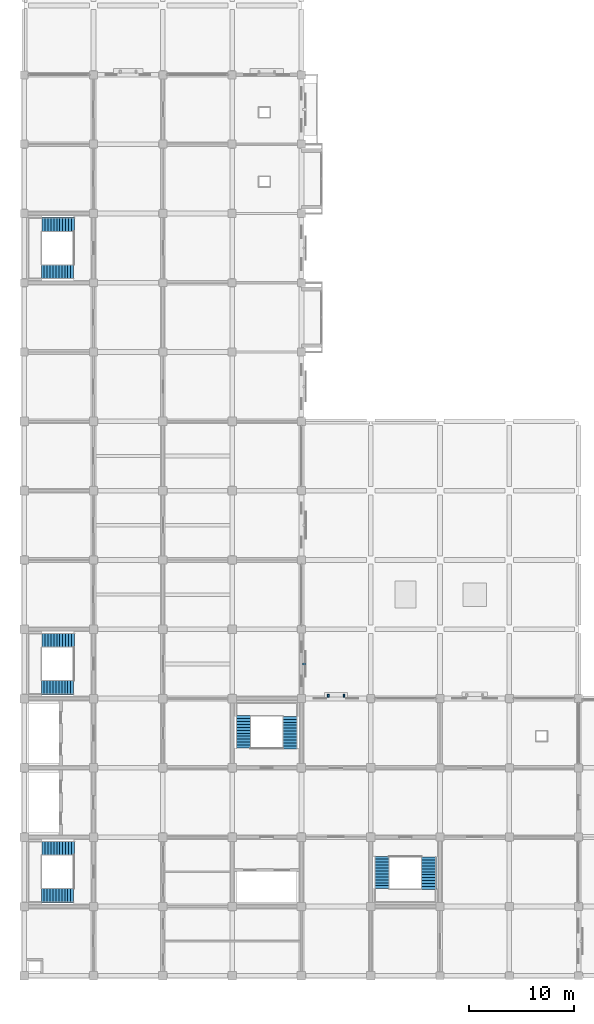
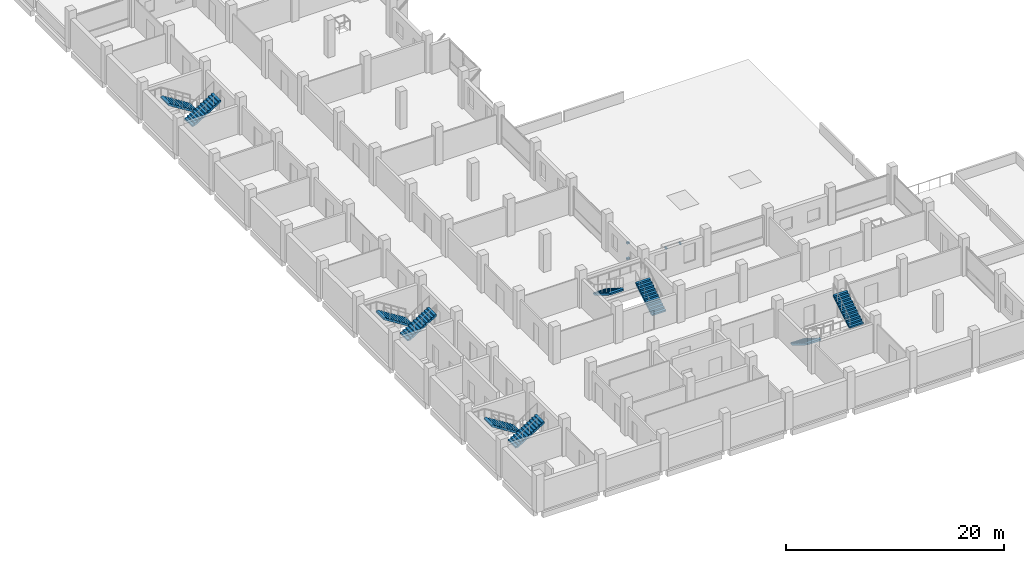
# One storey, part 19 of 23: 10 stair flights, 4 discrete accessories, 5 elements without a shape of their own.
"""IFC4 building model written with IfcOpenShell, lengths in metres."""

from ifc_helpers import new_model, si_unit, direction, frame, origin, origin_2d, place, context, subcontext, project, spatial, polyline, rectangle, outline, extrude, material, type_object, element, aggregate, save


model = new_model("IFC4")

# Units and contexts
model_context = context("Model", 3, precision=1e-05, world=origin(), true_north=direction((0.0, 1.0)))
body_context = subcontext(model_context, "Body", "Model", "MODEL_VIEW")
ifc_project = project(units=[si_unit("LENGTHUNIT", "METRE"), si_unit("AREAUNIT", "SQUARE_METRE"), si_unit("VOLUMEUNIT", "CUBIC_METRE"), si_unit("PLANEANGLEUNIT", "RADIAN"), si_unit("MASSUNIT", "GRAM", prefix="KILO")], contexts=[model_context])

# Site, building, storey
site_placement = place(None, origin())
site = spatial("IfcSite", under=ifc_project, at=site_placement, CompositionType="ELEMENT")
building_placement = place(site_placement, origin())
building = spatial("IfcBuilding", under=site, at=building_placement, Name="Rusizi Kubbe Research Institute", CompositionType="ELEMENT")
storey_placement = place(building_placement, frame((0.0, 0.0, 18.60009765625)))
storey = spatial("IfcBuildingStorey", under=building, at=storey_placement, Name="L04", CompositionType="ELEMENT", Elevation=18.60009765625)

# Stair, stair flights
ifc_material_1 = material(Name="Concrete C40/50", Category="concrete")
stair_type_1 = type_object("IfcStairType", Name="ST-H420A", PredefinedType="HALF_TURN_STAIR", material=ifc_material_1)
stair_1_placement = place(storey_placement, origin())
stair_1 = element("IfcStair", 1, at=stair_1_placement, inside=storey, type_object=stair_type_1, Name="Protected Exit Stair ST1 (L04)", PredefinedType="HALF_TURN_STAIR")
ifc_material_2 = material(Name="Concrete C40/50", Category="concrete")
stair_flight_type_1 = type_object("IfcStairFlightType", Name="FL-H420A", PredefinedType="STRAIGHT", material=ifc_material_2)
stair_flight_1_placement = place(storey_placement, frame((4.780029296875, 12.14990234375, 0.0), z_axis=(0.0, 0.0, 1.0), x_axis=(-1.0, 0.0, 0.0)))
stair_flight_1 = element("IfcStairFlight", 2, at=stair_flight_1_placement, type_object=stair_flight_type_1, Name="ST1 flight 1", NumberOfRisers=12, NumberOfTreads=11, PredefinedType="STRAIGHT", RiserHeight=0.175, TreadLength=0.28, context=body_context, shape_type="SweptSolid", body=[
    extrude(outline(polyline([(0.0, 0.0), (0.0, 0.175048828125), (0.280029296875, 0.175048828125), (0.280029296875, 0.35009765625), (0.56005859375, 0.35009765625), (0.56005859375, 0.52490234375), (0.840087890625, 0.52490234375), (0.840087890625, 0.699951171875), (1.1201171875, 0.699951171875), (1.1201171875, 0.875), (1.39990234375, 0.875), (1.39990234375, 1.050048828125), (1.679931640625, 1.050048828125), (1.679931640625, 1.22509765625), (1.9599609375, 1.22509765625), (1.9599609375, 1.39990234375), (2.239990234375, 1.39990234375), (2.239990234375, 1.574951171875), (2.52001953125, 1.574951171875), (2.52001953125, 1.75), (2.800048828125, 1.75), (2.800048828125, 1.925048828125), (3.080078125, 1.925048828125), (3.080078125, 2.10009765625), (3.080078125, 1.736328125), (0.3017578125, 0.0), (0.0, 0.0)])), frame((0.0, 0.699951171875, 0.0), z_axis=(0.0, -1.0, 0.0), x_axis=(1.0, 0.0, 0.0)), (0.0, 0.0, 1.0), 1.39990234375),
])
stair_flight_2_placement = place(storey_placement, frame((1.6259765625, 7.64990234375, 2.099853515625), z_axis=(0.0, 0.0, 1.0), x_axis=(1.0, 0.0, 0.0)))
stair_flight_2 = element("IfcStairFlight", 3, at=stair_flight_2_placement, type_object=stair_flight_type_1, Name="ST1 flight 2", NumberOfRisers=12, NumberOfTreads=11, PredefinedType="STRAIGHT", RiserHeight=0.175, TreadLength=0.28, context=body_context, shape_type="SweptSolid", body=[
    extrude(outline(polyline([(0.0, 0.0), (0.0, 0.175048828125), (0.280029296875, 0.175048828125), (0.280029296875, 0.35009765625), (0.56005859375, 0.35009765625), (0.56005859375, 0.52490234375), (0.840087890625, 0.52490234375), (0.840087890625, 0.699951171875), (1.1201171875, 0.699951171875), (1.1201171875, 0.875), (1.39990234375, 0.875), (1.39990234375, 1.050048828125), (1.679931640625, 1.050048828125), (1.679931640625, 1.22509765625), (1.9599609375, 1.22509765625), (1.9599609375, 1.39990234375), (2.239990234375, 1.39990234375), (2.239990234375, 1.574951171875), (2.52001953125, 1.574951171875), (2.52001953125, 1.75), (2.800048828125, 1.75), (2.800048828125, 1.925048828125), (3.080078125, 1.925048828125), (3.080078125, 2.10009765625), (3.080078125, 1.736328125), (0.3017578125, 0.0), (0.0, 0.0)])), frame((0.0, 0.699951171875, 0.0), z_axis=(0.0, -1.0, 0.0), x_axis=(1.0, 0.0, 0.0)), (0.0, 0.0, 1.0), 1.39990234375),
])
aggregate(stair_1, [stair_flight_1, stair_flight_2])

stair_2_placement = place(storey_placement, origin())
stair_2 = element("IfcStair", 4, at=stair_2_placement, inside=storey, type_object=stair_type_1, Name="Protected Exit Stair ST2 (L04)", PredefinedType="HALF_TURN_STAIR")
stair_flight_3_placement = place(storey_placement, frame((4.780029296875, 31.949951171875, 0.0), z_axis=(0.0, 0.0, 1.0), x_axis=(-1.0, 0.0, 0.0)))
stair_flight_3 = element("IfcStairFlight", 5, at=stair_flight_3_placement, type_object=stair_flight_type_1, Name="ST2 flight 1", NumberOfRisers=12, NumberOfTreads=11, PredefinedType="STRAIGHT", RiserHeight=0.175, TreadLength=0.28, context=body_context, shape_type="SweptSolid", body=[
    extrude(outline(polyline([(0.0, 0.0), (0.0, 0.175048828125), (0.280029296875, 0.175048828125), (0.280029296875, 0.35009765625), (0.56005859375, 0.35009765625), (0.56005859375, 0.52490234375), (0.840087890625, 0.52490234375), (0.840087890625, 0.699951171875), (1.1201171875, 0.699951171875), (1.1201171875, 0.875), (1.39990234375, 0.875), (1.39990234375, 1.050048828125), (1.679931640625, 1.050048828125), (1.679931640625, 1.22509765625), (1.9599609375, 1.22509765625), (1.9599609375, 1.39990234375), (2.239990234375, 1.39990234375), (2.239990234375, 1.574951171875), (2.52001953125, 1.574951171875), (2.52001953125, 1.75), (2.800048828125, 1.75), (2.800048828125, 1.925048828125), (3.080078125, 1.925048828125), (3.080078125, 2.10009765625), (3.080078125, 1.736328125), (0.3017578125, 0.0), (0.0, 0.0)])), frame((0.0, 0.699951171875, 0.0), z_axis=(0.0, -1.0, 0.0), x_axis=(1.0, 0.0, 0.0)), (0.0, 0.0, 1.0), 1.39990234375),
])
stair_flight_4_placement = place(storey_placement, frame((1.6259765625, 27.449951171875, 2.099853515625), z_axis=(0.0, 0.0, 1.0), x_axis=(1.0, 0.0, 0.0)))
stair_flight_4 = element("IfcStairFlight", 6, at=stair_flight_4_placement, type_object=stair_flight_type_1, Name="ST2 flight 2", NumberOfRisers=12, NumberOfTreads=11, PredefinedType="STRAIGHT", RiserHeight=0.175, TreadLength=0.28, context=body_context, shape_type="SweptSolid", body=[
    extrude(outline(polyline([(0.0, 0.0), (0.0, 0.175048828125), (0.280029296875, 0.175048828125), (0.280029296875, 0.35009765625), (0.56005859375, 0.35009765625), (0.56005859375, 0.52490234375), (0.840087890625, 0.52490234375), (0.840087890625, 0.699951171875), (1.1201171875, 0.699951171875), (1.1201171875, 0.875), (1.39990234375, 0.875), (1.39990234375, 1.050048828125), (1.679931640625, 1.050048828125), (1.679931640625, 1.22509765625), (1.9599609375, 1.22509765625), (1.9599609375, 1.39990234375), (2.239990234375, 1.39990234375), (2.239990234375, 1.574951171875), (2.52001953125, 1.574951171875), (2.52001953125, 1.75), (2.800048828125, 1.75), (2.800048828125, 1.925048828125), (3.080078125, 1.925048828125), (3.080078125, 2.10009765625), (3.080078125, 1.736328125), (0.3017578125, 0.0), (0.0, 0.0)])), frame((0.0, 0.699951171875, 0.0), z_axis=(0.0, -1.0, 0.0), x_axis=(1.0, 0.0, 0.0)), (0.0, 0.0, 1.0), 1.39990234375),
])
aggregate(stair_2, [stair_flight_3, stair_flight_4])

stair_3_placement = place(storey_placement, origin())
stair_3 = element("IfcStair", 7, at=stair_3_placement, inside=storey, type_object=stair_type_1, Name="Protected Exit Stair ST5 (L04)", PredefinedType="HALF_TURN_STAIR")
stair_flight_5_placement = place(storey_placement, frame((4.780029296875, 71.550048828125, 0.0), z_axis=(0.0, 0.0, 1.0), x_axis=(-1.0, 0.0, 0.0)))
stair_flight_5 = element("IfcStairFlight", 8, at=stair_flight_5_placement, type_object=stair_flight_type_1, Name="ST5 flight 1", NumberOfRisers=12, NumberOfTreads=11, PredefinedType="STRAIGHT", RiserHeight=0.175, TreadLength=0.28, context=body_context, shape_type="SweptSolid", body=[
    extrude(outline(polyline([(0.0, 0.0), (0.0, 0.175048828125), (0.280029296875, 0.175048828125), (0.280029296875, 0.35009765625), (0.56005859375, 0.35009765625), (0.56005859375, 0.52490234375), (0.840087890625, 0.52490234375), (0.840087890625, 0.699951171875), (1.1201171875, 0.699951171875), (1.1201171875, 0.875), (1.39990234375, 0.875), (1.39990234375, 1.050048828125), (1.679931640625, 1.050048828125), (1.679931640625, 1.22509765625), (1.9599609375, 1.22509765625), (1.9599609375, 1.39990234375), (2.239990234375, 1.39990234375), (2.239990234375, 1.574951171875), (2.52001953125, 1.574951171875), (2.52001953125, 1.75), (2.800048828125, 1.75), (2.800048828125, 1.925048828125), (3.080078125, 1.925048828125), (3.080078125, 2.10009765625), (3.080078125, 1.736328125), (0.3017578125, 0.0), (0.0, 0.0)])), frame((0.0, 0.699951171875, 0.0), z_axis=(0.0, -1.0, 0.0), x_axis=(1.0, 0.0, 0.0)), (0.0, 0.0, 1.0), 1.39990234375),
])
stair_flight_6_placement = place(storey_placement, frame((1.6259765625, 67.050048828125, 2.099853515625), z_axis=(0.0, 0.0, 1.0), x_axis=(1.0, 0.0, 0.0)))
stair_flight_6 = element("IfcStairFlight", 9, at=stair_flight_6_placement, type_object=stair_flight_type_1, Name="ST5 flight 2", NumberOfRisers=12, NumberOfTreads=11, PredefinedType="STRAIGHT", RiserHeight=0.175, TreadLength=0.28, context=body_context, shape_type="SweptSolid", body=[
    extrude(outline(polyline([(0.0, 0.0), (0.0, 0.175048828125), (0.280029296875, 0.175048828125), (0.280029296875, 0.35009765625), (0.56005859375, 0.35009765625), (0.56005859375, 0.52490234375), (0.840087890625, 0.52490234375), (0.840087890625, 0.699951171875), (1.1201171875, 0.699951171875), (1.1201171875, 0.875), (1.39990234375, 0.875), (1.39990234375, 1.050048828125), (1.679931640625, 1.050048828125), (1.679931640625, 1.22509765625), (1.9599609375, 1.22509765625), (1.9599609375, 1.39990234375), (2.239990234375, 1.39990234375), (2.239990234375, 1.574951171875), (2.52001953125, 1.574951171875), (2.52001953125, 1.75), (2.800048828125, 1.75), (2.800048828125, 1.925048828125), (3.080078125, 1.925048828125), (3.080078125, 2.10009765625), (3.080078125, 1.736328125), (0.3017578125, 0.0), (0.0, 0.0)])), frame((0.0, 0.699951171875, 0.0), z_axis=(0.0, -1.0, 0.0), x_axis=(1.0, 0.0, 0.0)), (0.0, 0.0, 1.0), 1.39990234375),
])
aggregate(stair_3, [stair_flight_5, stair_flight_6])

ifc_material_3 = material(Name="Concrete C40/50", Category="concrete")
stair_type_2 = type_object("IfcStairType", Name="ST-H420B", PredefinedType="HALF_TURN_STAIR", material=ifc_material_3)
stair_4_placement = place(storey_placement, origin())
stair_4 = element("IfcStair", 10, at=stair_4_placement, inside=storey, type_object=stair_type_2, Name="Protected Exit Stair ST3 (L04)", PredefinedType="HALF_TURN_STAIR")
ifc_material_4 = material(Name="Concrete C40/50", Category="concrete")
stair_flight_type_2 = type_object("IfcStairFlightType", Name="FL-H420B", PredefinedType="STRAIGHT", material=ifc_material_4)
stair_flight_7_placement = place(storey_placement, frame((25.324951171875, 21.6201171875, 0.0), z_axis=(0.0, 0.0, 1.0), x_axis=(0.0, 1.0, 0.0)))
stair_flight_7 = element("IfcStairFlight", 11, at=stair_flight_7_placement, type_object=stair_flight_type_2, Name="ST3 flight 1", NumberOfRisers=12, NumberOfTreads=11, PredefinedType="STRAIGHT", RiserHeight=0.175, TreadLength=0.28, context=body_context, shape_type="SweptSolid", body=[
    extrude(outline(polyline([(0.0, 0.0), (0.0, 0.175048828125), (0.280029296875, 0.175048828125), (0.280029296875, 0.35009765625), (0.56005859375, 0.35009765625), (0.56005859375, 0.52490234375), (0.840087890625, 0.52490234375), (0.840087890625, 0.699951171875), (1.1201171875, 0.699951171875), (1.1201171875, 0.875), (1.39990234375, 0.875), (1.39990234375, 1.050048828125), (1.679931640625, 1.050048828125), (1.679931640625, 1.22509765625), (1.9599609375, 1.22509765625), (1.9599609375, 1.39990234375), (2.239990234375, 1.39990234375), (2.239990234375, 1.574951171875), (2.52001953125, 1.574951171875), (2.52001953125, 1.75), (2.800048828125, 1.75), (2.800048828125, 1.925048828125), (3.080078125, 1.925048828125), (3.080078125, 2.10009765625), (3.080078125, 1.736328125), (0.3017578125, 0.0), (0.0, 0.0)])), frame((0.0, 0.72509765625, 0.0), z_axis=(0.0, -1.0, 0.0), x_axis=(1.0, 0.0, 0.0)), (0.0, 0.0, 1.0), 1.449951171875),
])
stair_flight_8_placement = place(storey_placement, frame((20.875, 24.77392578125, 2.099853515625), z_axis=(0.0, 0.0, 1.0), x_axis=(0.0, -1.0, 0.0)))
stair_flight_8 = element("IfcStairFlight", 12, at=stair_flight_8_placement, type_object=stair_flight_type_2, Name="ST3 flight 2", NumberOfRisers=12, NumberOfTreads=11, PredefinedType="STRAIGHT", RiserHeight=0.175, TreadLength=0.28, context=body_context, shape_type="SweptSolid", body=[
    extrude(outline(polyline([(0.0, 0.0), (0.0, 0.175048828125), (0.280029296875, 0.175048828125), (0.280029296875, 0.35009765625), (0.56005859375, 0.35009765625), (0.56005859375, 0.52490234375), (0.840087890625, 0.52490234375), (0.840087890625, 0.699951171875), (1.1201171875, 0.699951171875), (1.1201171875, 0.875), (1.39990234375, 0.875), (1.39990234375, 1.050048828125), (1.679931640625, 1.050048828125), (1.679931640625, 1.22509765625), (1.9599609375, 1.22509765625), (1.9599609375, 1.39990234375), (2.239990234375, 1.39990234375), (2.239990234375, 1.574951171875), (2.52001953125, 1.574951171875), (2.52001953125, 1.75), (2.800048828125, 1.75), (2.800048828125, 1.925048828125), (3.080078125, 1.925048828125), (3.080078125, 2.10009765625), (3.080078125, 1.736328125), (0.3017578125, 0.0), (0.0, 0.0)])), frame((0.0, 0.72509765625, 0.0), z_axis=(0.0, -1.0, 0.0), x_axis=(1.0, 0.0, 0.0)), (0.0, 0.0, 1.0), 1.449951171875),
])
aggregate(stair_4, [stair_flight_7, stair_flight_8])

stair_5_placement = place(storey_placement, origin())
stair_5 = element("IfcStair", 13, at=stair_5_placement, inside=storey, type_object=stair_type_2, Name="Protected Exit Stair ST4 (L04)", PredefinedType="HALF_TURN_STAIR")
stair_flight_9_placement = place(storey_placement, frame((34.074951171875, 11.3798828125, 0.0), z_axis=(0.0, 0.0, 1.0), x_axis=(0.0, -1.0, 0.0)))
stair_flight_9 = element("IfcStairFlight", 14, at=stair_flight_9_placement, type_object=stair_flight_type_2, Name="ST4 flight 1", NumberOfRisers=12, NumberOfTreads=11, PredefinedType="STRAIGHT", RiserHeight=0.175, TreadLength=0.28, context=body_context, shape_type="SweptSolid", body=[
    extrude(outline(polyline([(0.0, 0.0), (0.0, 0.175048828125), (0.280029296875, 0.175048828125), (0.280029296875, 0.35009765625), (0.56005859375, 0.35009765625), (0.56005859375, 0.52490234375), (0.840087890625, 0.52490234375), (0.840087890625, 0.699951171875), (1.1201171875, 0.699951171875), (1.1201171875, 0.875), (1.39990234375, 0.875), (1.39990234375, 1.050048828125), (1.679931640625, 1.050048828125), (1.679931640625, 1.22509765625), (1.9599609375, 1.22509765625), (1.9599609375, 1.39990234375), (2.239990234375, 1.39990234375), (2.239990234375, 1.574951171875), (2.52001953125, 1.574951171875), (2.52001953125, 1.75), (2.800048828125, 1.75), (2.800048828125, 1.925048828125), (3.080078125, 1.925048828125), (3.080078125, 2.10009765625), (3.080078125, 1.736328125), (0.3017578125, 0.0), (0.0, 0.0)])), frame((0.0, 0.72509765625, 0.0), z_axis=(0.0, -1.0, 0.0), x_axis=(1.0, 0.0, 0.0)), (0.0, 0.0, 1.0), 1.449951171875),
])
stair_flight_10_placement = place(storey_placement, frame((38.52490234375, 8.22607421875, 2.099853515625), z_axis=(0.0, 0.0, 1.0), x_axis=(0.0, 1.0, 0.0)))
stair_flight_10 = element("IfcStairFlight", 15, at=stair_flight_10_placement, type_object=stair_flight_type_2, Name="ST4 flight 2", NumberOfRisers=12, NumberOfTreads=11, PredefinedType="STRAIGHT", RiserHeight=0.175, TreadLength=0.28, context=body_context, shape_type="SweptSolid", body=[
    extrude(outline(polyline([(0.0, 0.0), (0.0, 0.175048828125), (0.280029296875, 0.175048828125), (0.280029296875, 0.35009765625), (0.56005859375, 0.35009765625), (0.56005859375, 0.52490234375), (0.840087890625, 0.52490234375), (0.840087890625, 0.699951171875), (1.1201171875, 0.699951171875), (1.1201171875, 0.875), (1.39990234375, 0.875), (1.39990234375, 1.050048828125), (1.679931640625, 1.050048828125), (1.679931640625, 1.22509765625), (1.9599609375, 1.22509765625), (1.9599609375, 1.39990234375), (2.239990234375, 1.39990234375), (2.239990234375, 1.574951171875), (2.52001953125, 1.574951171875), (2.52001953125, 1.75), (2.800048828125, 1.75), (2.800048828125, 1.925048828125), (3.080078125, 1.925048828125), (3.080078125, 2.10009765625), (3.080078125, 1.736328125), (0.3017578125, 0.0), (0.0, 0.0)])), frame((0.0, 0.72509765625, 0.0), z_axis=(0.0, -1.0, 0.0), x_axis=(1.0, 0.0, 0.0)), (0.0, 0.0, 1.0), 1.449951171875),
])
aggregate(stair_5, [stair_flight_9, stair_flight_10])

# Discrete accessories
ifc_material_5 = material(Name="Steel S355", Category="steel")
discrete_accessory_type_1 = type_object("IfcDiscreteAccessoryType", Name="BK-01", PredefinedType="BRACKET", material=ifc_material_5)
for number, where, z_axis, x_axis, name in (
    (16, (26.672607421875, 29.699951171875, 0.73974609375), (0.0, 0.0, 1.0), (1.0, 0.0, 0.0), "Solar Screen Bracket 42-1"),
    (17, (26.672607421875, 29.699951171875, 2.5), (0.0, 0.0, 1.0), (1.0, 0.0, 0.0), "Solar Screen Bracket 42-2"),
):
    element("IfcDiscreteAccessory", number, at=place(storey_placement, frame(where, z_axis=z_axis, x_axis=x_axis)), inside=storey, type_object=discrete_accessory_type_1, Name=name, PredefinedType="BRACKET", context=body_context, shape_type="SweptSolid", body=[
        extrude(rectangle(XDim=0.300048828125, YDim=0.219970703125, at=origin_2d()), origin(), (0.0, 0.0, 1.0), 0.179931640625),
    ])
ifc_material_6 = material(Name="Steel S355", Category="steel")
discrete_accessory_type_2 = type_object("IfcDiscreteAccessoryType", Name="BK-02", PredefinedType="BRACKET", material=ifc_material_6)
for number, where, z_axis, x_axis, name in (
    (18, (28.949951171875, 26.66259765625, 2.9599609375), (0.0, 0.0, 1.0), (1.0, 0.0, 0.0), "Louver Canopy Bracket 31-1"),
    (19, (30.449951171875, 26.66259765625, 2.9599609375), (0.0, 0.0, 1.0), (1.0, 0.0, 0.0), "Louver Canopy Bracket 31-2"),
):
    element("IfcDiscreteAccessory", number, at=place(storey_placement, frame(where, z_axis=z_axis, x_axis=x_axis)), inside=storey, type_object=discrete_accessory_type_2, Name=name, PredefinedType="BRACKET", context=body_context, shape_type="SweptSolid", body=[
        extrude(rectangle(XDim=0.159912109375, YDim=0.280029296875, at=origin_2d()), origin(), (0.0, 0.0, 1.0), 0.179931640625),
    ])

save(model, "model.ifc")
